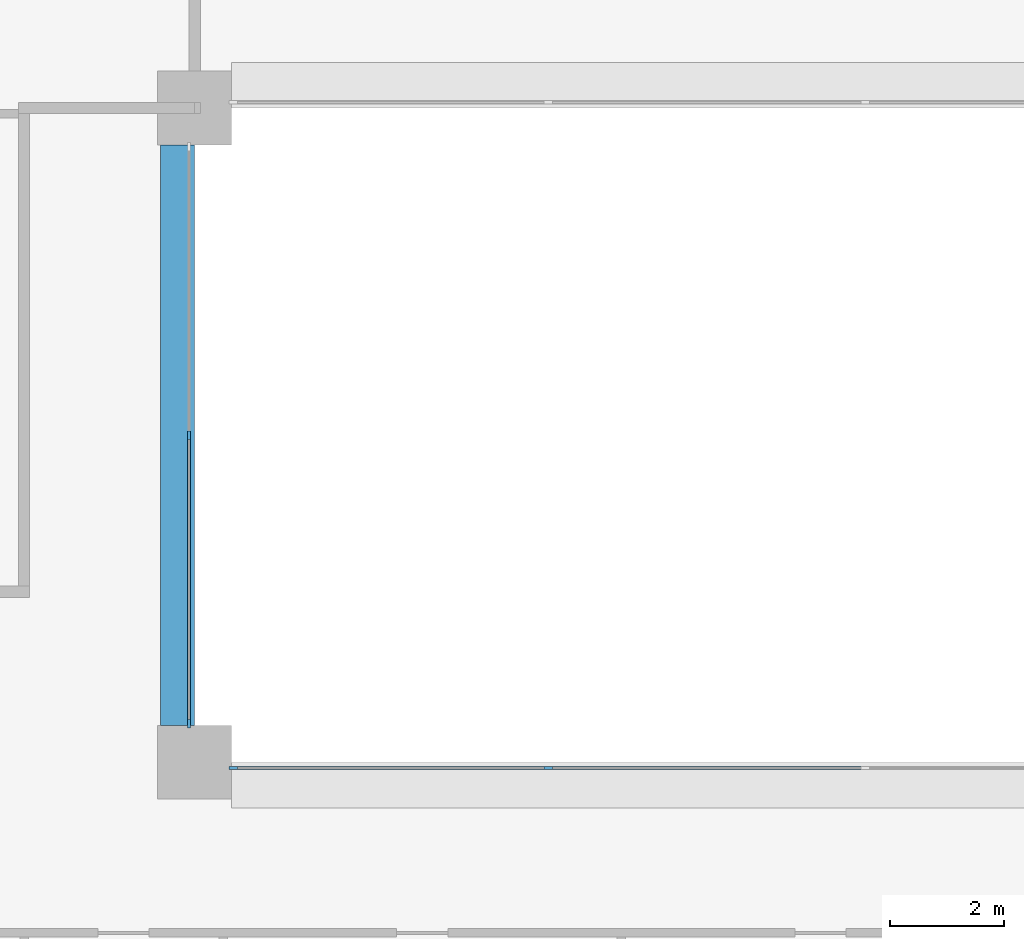
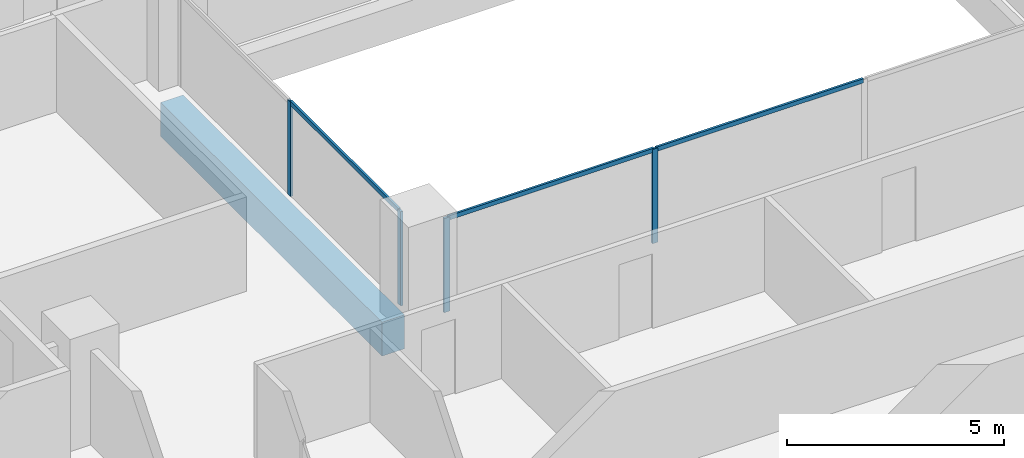
# One storey, part 2 of 17: 7 members, 1 beam, 2 elements without a shape of their own.
"""IFC4 building model written with IfcOpenShell, lengths in metres."""

from ifc_helpers import new_model, si_unit, direction, frame, origin, origin_2d, place, context, subcontext, project, spatial, rectangle, extrude, material, layer, layer_set, material_profile, profile_set, type_object, element, aggregate, save


model = new_model("IFC4")

# Units and contexts
model_context = context("Model", 3, precision=1e-05, world=origin(), true_north=direction((0.0, 1.0)))
body_context = subcontext(model_context, "Body", "Model", "MODEL_VIEW")
ifc_project = project(units=[si_unit("LENGTHUNIT", "METRE"), si_unit("AREAUNIT", "SQUARE_METRE"), si_unit("VOLUMEUNIT", "CUBIC_METRE"), si_unit("PLANEANGLEUNIT", "RADIAN"), si_unit("MASSUNIT", "GRAM", prefix="KILO")], contexts=[model_context])

# Site, building, storey
site_placement = place(None, origin())
site = spatial("IfcSite", under=ifc_project, at=site_placement, CompositionType="ELEMENT")
building_placement = place(site_placement, origin())
building = spatial("IfcBuilding", under=site, at=building_placement, Name="Brigalow Station Residences", CompositionType="ELEMENT")
storey_placement = place(building_placement, frame((0.0, 0.0, 127.64990234375)))
storey = spatial("IfcBuildingStorey", under=building, at=storey_placement, Name="L37", CompositionType="ELEMENT", Elevation=127.64990234375)

# Beam
ifc_material_1 = material(Name="Concrete C65", Category="concrete")
ifc_material_profile_1 = material_profile(ifc_material_1, rectangle(XDim=0.60009765625, YDim=0.949951171875, at=origin_2d()), Name="RC600x950")
ifc_profile_set_1 = profile_set([ifc_material_profile_1], Name="Concrete C65")
beam_type = type_object("IfcBeamType", Name="ATRIUM EDGE GIRDER 600x950 C65", PredefinedType="BEAM", material=ifc_profile_set_1)
beam_placement = place(storey_placement, frame((26.699951171875, 24.64990234375, -0.794921875), z_axis=(0.0, 1.0, 0.0), x_axis=(-1.0, 0.0, 0.0)))
element("IfcBeam", 1, at=beam_placement, inside=storey, type_object=beam_type, Name="ATRIUM EDGE GIRDER 3 L37", PredefinedType="BEAM", context=body_context, shape_type="SweptSolid", body=[
    extrude(rectangle(XDim=0.60009765625, YDim=0.949951171875, at=origin_2d()), origin(), (0.0, 0.0, 1.0), 10.2001953125),
])

# Curtain wall, members
ifc_material_2 = material(Name="Aluminium", Category="aluminium")
ifc_layer = layer(ifc_material_2, 0.14990234375)
ifc_layer_set = layer_set([ifc_layer], Name="ATRIUM FIRE-RATED GLAZING CURTAIN WALL")
curtain_wall_type = type_object("IfcCurtainWallType", Name="ATRIUM FIRE-RATED GLAZING CURTAIN WALL", PredefinedType="NOTDEFINED", material=ifc_layer_set)
curtain_wall_1_placement = place(storey_placement, origin())
curtain_wall_1 = element("IfcCurtainWall", 2, at=curtain_wall_1_placement, inside=storey, type_object=curtain_wall_type, Name="L37/cw/atrium-S", PredefinedType="NOTDEFINED")
ifc_material_3 = material(Name="Aluminium", Category="aluminium")
ifc_material_profile_2 = material_profile(ifc_material_3, rectangle(XDim=0.06005859375, YDim=0.14990234375, at=origin_2d()), Name="ATRIUM FIRE-RATED GLAZING MULLION 60x150")
ifc_profile_set_2 = profile_set([ifc_material_profile_2], Name="Aluminium")
member_type_1 = type_object("IfcMemberType", Name="ATRIUM FIRE-RATED GLAZING MULLION 60x150", PredefinedType="MULLION", material=ifc_profile_set_2)
member_1_placement = place(storey_placement, frame((27.679931640625, 23.89990234375, 0.0), z_axis=(0.0, 0.0, 1.0), x_axis=(0.0, 1.0, 0.0)))
member_1 = element("IfcMember", 3, at=member_1_placement, type_object=member_type_1, Name="L37/cw/atrium-S/M00", PredefinedType="MULLION", context=body_context, shape_type="SweptSolid", body=[
    extrude(rectangle(XDim=0.06005859375, YDim=0.14990234375, at=origin_2d()), origin(), (0.0, 0.0, 1.0), 2.650146484375),
])
member_2_placement = place(storey_placement, frame((33.216796875, 23.89990234375, 0.0), z_axis=(0.0, 0.0, 1.0), x_axis=(0.0, 1.0, 0.0)))
member_2 = element("IfcMember", 4, at=member_2_placement, type_object=member_type_1, Name="L37/cw/atrium-S/M01", PredefinedType="MULLION", context=body_context, shape_type="SweptSolid", body=[
    extrude(rectangle(XDim=0.06005859375, YDim=0.14990234375, at=origin_2d()), origin(), (0.0, 0.0, 1.0), 2.650146484375),
])

curtain_wall_2_placement = place(storey_placement, origin())
curtain_wall_2 = element("IfcCurtainWall", 5, at=curtain_wall_2_placement, inside=storey, type_object=curtain_wall_type, Name="L37/cw/atrium-W", PredefinedType="NOTDEFINED")
member_3_placement = place(storey_placement, frame((26.89990234375, 29.75, 0.0), z_axis=(0.0, 0.0, 1.0), x_axis=(1.0, 0.0, 0.0)))
member_3 = element("IfcMember", 6, at=member_3_placement, type_object=member_type_1, Name="L37/cw/atrium-W/M01", PredefinedType="MULLION", context=body_context, shape_type="SweptSolid", body=[
    extrude(rectangle(XDim=0.06005859375, YDim=0.14990234375, at=origin_2d()), origin(), (0.0, 0.0, 1.0), 2.650146484375),
])
member_4_placement = place(storey_placement, frame((26.89990234375, 24.679931640625, 0.0), z_axis=(0.0, 0.0, 1.0), x_axis=(1.0, 0.0, 0.0)))
member_4 = element("IfcMember", 7, at=member_4_placement, type_object=member_type_1, Name="L37/cw/atrium-W/M02", PredefinedType="MULLION", context=body_context, shape_type="SweptSolid", body=[
    extrude(rectangle(XDim=0.06005859375, YDim=0.14990234375, at=origin_2d()), origin(), (0.0, 0.0, 1.0), 2.650146484375),
])

# Member
ifc_material_4 = material(Name="Aluminium", Category="aluminium")
ifc_material_profile_3 = material_profile(ifc_material_4, rectangle(XDim=0.06005859375, YDim=0.1201171875, at=origin_2d()), Name="ATRIUM FIRE-RATED GLAZING TRANSOM 60x120")
ifc_profile_set_3 = profile_set([ifc_material_profile_3], Name="Aluminium")
member_type_2 = type_object("IfcMemberType", Name="ATRIUM FIRE-RATED GLAZING TRANSOM 60x120", PredefinedType="USERDEFINED", material=ifc_profile_set_3)
member_5_placement = place(storey_placement, frame((27.7099609375, 23.89990234375, 2.6201171875), z_axis=(1.0, 0.0, 0.0), x_axis=(0.0, 1.0, 0.0)))
member_5 = element("IfcMember", 8, at=member_5_placement, type_object=member_type_2, Name="L37/cw/atrium-S/T00-00", ObjectType="TRANSOM", PredefinedType="USERDEFINED", context=body_context, shape_type="SweptSolid", body=[
    extrude(rectangle(XDim=0.06005859375, YDim=0.1201171875, at=origin_2d()), origin(), (0.0, 0.0, 1.0), 5.476806640625),
])

member_6_placement = place(storey_placement, frame((33.24658203125, 23.89990234375, 2.6201171875), z_axis=(1.0, 0.0, 0.0), x_axis=(0.0, 1.0, 0.0)))
member_6 = element("IfcMember", 9, at=member_6_placement, type_object=member_type_2, Name="L37/cw/atrium-S/T01-00", ObjectType="TRANSOM", PredefinedType="USERDEFINED", context=body_context, shape_type="SweptSolid", body=[
    extrude(rectangle(XDim=0.06005859375, YDim=0.1201171875, at=origin_2d()), origin(), (0.0, 0.0, 1.0), 5.5068359375),
])

aggregate(curtain_wall_1, [member_1, member_2, member_5, member_6])

member_7_placement = place(storey_placement, frame((26.89990234375, 29.719970703125, 2.6201171875), z_axis=(0.0, -1.0, 0.0), x_axis=(1.0, 0.0, 0.0)))
member_7 = element("IfcMember", 10, at=member_7_placement, type_object=member_type_2, Name="L37/cw/atrium-W/T01-00", ObjectType="TRANSOM", PredefinedType="USERDEFINED", context=body_context, shape_type="SweptSolid", body=[
    extrude(rectangle(XDim=0.06005859375, YDim=0.1201171875, at=origin_2d()), origin(), (0.0, 0.0, 1.0), 5.010009765625),
])

aggregate(curtain_wall_2, [member_3, member_4, member_7])

save(model, "model.ifc")
